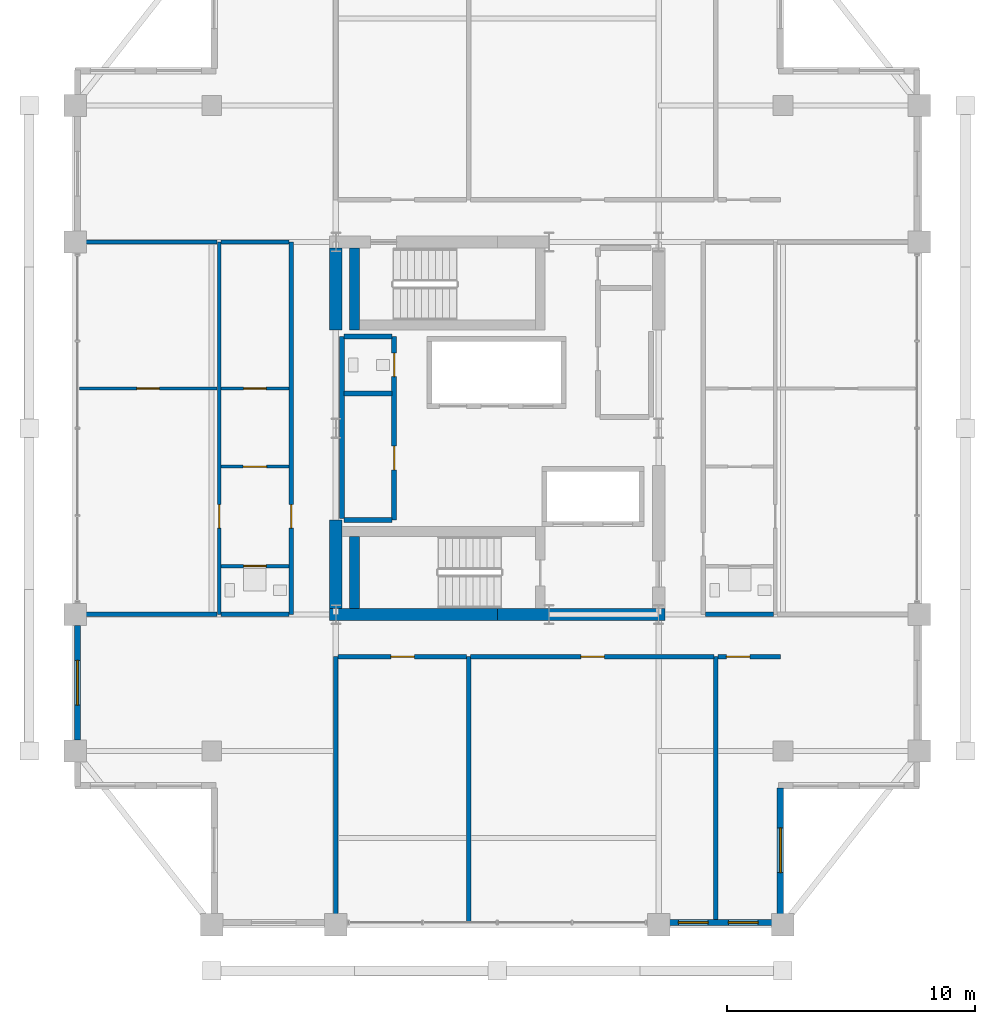
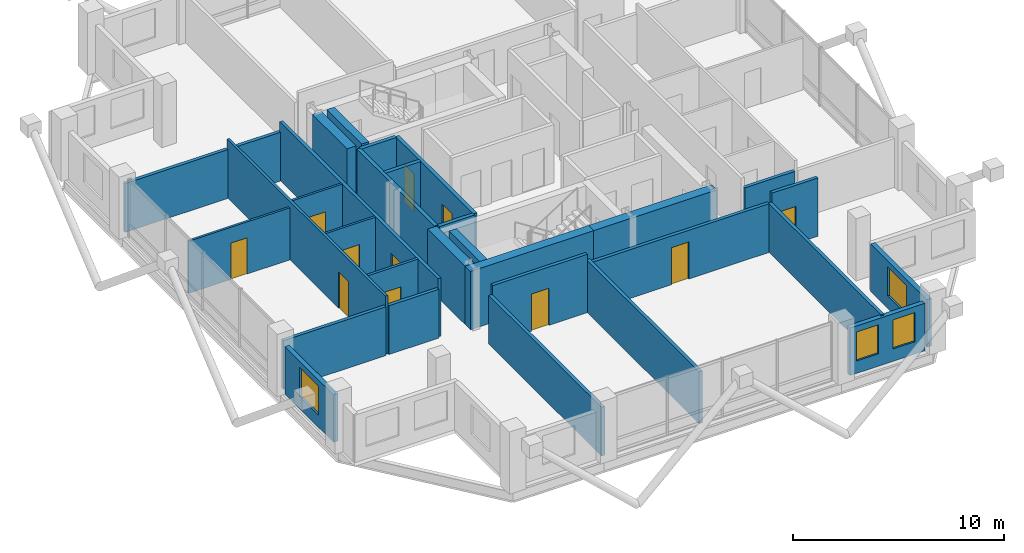
# One storey, part 18 of 23: 31 walls, 11 doors, 4 windows, 15 openings.
"""IFC4 building model written with IfcOpenShell, lengths in metres."""

from ifc_helpers import new_model, si_unit, direction, frame, frame_2d, origin, place, context, subcontext, project, spatial, rectangle, extrude, material, layer, layer_set, type_object, element, fill, save


model = new_model("IFC4")

# Units and contexts
model_context = context("Model", 3, precision=1e-05, world=origin(), true_north=direction((0.0, 1.0)))
body_context = subcontext(model_context, "Body", "Model", "MODEL_VIEW")
ifc_project = project(units=[si_unit("LENGTHUNIT", "METRE"), si_unit("AREAUNIT", "SQUARE_METRE"), si_unit("VOLUMEUNIT", "CUBIC_METRE"), si_unit("PLANEANGLEUNIT", "RADIAN"), si_unit("MASSUNIT", "GRAM", prefix="KILO")], contexts=[model_context])

# Site, building, storey
site_placement = place(None, origin())
site = spatial("IfcSite", under=ifc_project, at=site_placement, CompositionType="ELEMENT")
building_placement = place(site_placement, origin())
building = spatial("IfcBuilding", under=site, at=building_placement, Name="Barlavira Tower and Art Museum", CompositionType="ELEMENT")
storey_placement = place(building_placement, frame((0.0, 0.0, 290.699951171875)))
storey = spatial("IfcBuildingStorey", under=building, at=storey_placement, Name="L76", CompositionType="ELEMENT", Elevation=290.699951171875)

# Wall, opening, door
ifc_material_1 = material(Name="Gypsum acoustic stud partition", Category="gypsum")
ifc_layer_1 = layer(ifc_material_1, 0.1201171875, Name="Gypsum acoustic stud partition")
ifc_layer_set_1 = layer_set([ifc_layer_1], Name="Gypsum acoustic stud partition")
wall_type_1 = type_object("IfcWallType", Name="Apartment Internal Acoustic Partition 120", PredefinedType="PARTITIONING", material=ifc_layer_set_1)
wall_1_placement = place(storey_placement, frame((-11.1201171875, -1.550048828125, 0.0), z_axis=(0.0, 0.0, 1.0), x_axis=(1.0, 0.0, 0.0)))
wall_1 = element("IfcWall", 1, at=wall_1_placement, inside=storey, type_object=wall_type_1, Name="L76 Partition Wall 25", PredefinedType="PARTITIONING", context=body_context, shape_type="SweptSolid", body=[
    extrude(rectangle(XDim=2.740234375, YDim=0.1201171875, at=frame_2d((1.3701171875, 0.0))), origin(), (0.0, 0.0, 1.0), 3.380126953125),
])
opening_1_placement = place(wall_1_placement, frame((0.885009765625, 0.0, 0.0)))
opening_1 = element("IfcOpeningElement", 2, at=opening_1_placement, cuts=wall_1, Name="Opening D-02", PredefinedType="OPENING", context=body_context, shape_type="SweptSolid", body=[
    extrude(rectangle(XDim=0.949951171875, YDim=2.10009765625, at=frame_2d((0.47509765625, 1.050048828125))), frame((0.0, 0.070068359375, 0.0), z_axis=(0.0, -1.0, 0.0), x_axis=(1.0, 0.0, 0.0)), (0.0, 0.0, 1.0), 0.14013671875),
])
ifc_material_2 = material(Name="Engineered coastal hardwood", Category="wood")
door_type_1 = type_object("IfcDoorType", Name="Living and Salon Glazed-Leaf Door 950x2100", OperationType="NOTDEFINED", PredefinedType="DOOR", material=ifc_material_2)
door_1_placement = place(opening_1_placement, origin())
door_1 = element("IfcDoor", 3, at=door_1_placement, inside=storey, type_object=door_type_1, Name="Apartment W1 Kitchen Door", OperationType="SINGLE_SWING_RIGHT", OverallHeight=2.10009765625, OverallWidth=0.949951171875, PredefinedType="DOOR", context=body_context, shape_type="SweptSolid", body=[
    extrude(rectangle(XDim=0.949951171875, YDim=2.10009765625, at=frame_2d((0.47509765625, 1.050048828125))), frame((0.0, 0.02490234375, 0.0), z_axis=(0.0, -1.0, 0.0), x_axis=(1.0, 0.0, 0.0)), (0.0, 0.0, 1.0), 0.050048828125),
])
fill(opening_1, door_1)

wall_2_placement = place(storey_placement, frame((-16.820068359375, 1.60009765625, 0.0), z_axis=(0.0, 0.0, 1.0), x_axis=(1.0, 0.0, 0.0)))
wall_2 = element("IfcWall", 4, at=wall_2_placement, inside=storey, type_object=wall_type_1, Name="L76 Partition Wall 29", PredefinedType="PARTITIONING", context=body_context, shape_type="SweptSolid", body=[
    extrude(rectangle(XDim=5.5400390625, YDim=0.1201171875, at=frame_2d((2.77001953125, 0.0))), origin(), (0.0, 0.0, 1.0), 3.01806640625),
])
opening_2_placement = place(wall_2_placement, frame((2.31005859375, 0.0, 0.0)))
opening_2 = element("IfcOpeningElement", 5, at=opening_2_placement, cuts=wall_2, Name="Opening D-01", PredefinedType="OPENING", context=body_context, shape_type="SweptSolid", body=[
    extrude(rectangle(XDim=0.89990234375, YDim=2.10009765625, at=frame_2d((0.449951171875, 1.050048828125))), frame((0.0, 0.070068359375, 0.0), z_axis=(0.0, -1.0, 0.0), x_axis=(1.0, 0.0, 0.0)), (0.0, 0.0, 1.0), 0.14013671875),
])
door_type_2 = type_object("IfcDoorType", Name="Internal Bedroom Timber Flush Door 900x2100", OperationType="NOTDEFINED", PredefinedType="DOOR", material=ifc_material_2)
door_2_placement = place(opening_2_placement, origin())
door_2 = element("IfcDoor", 6, at=door_2_placement, inside=storey, type_object=door_type_2, Name="Apartment W1 Bedroom 1 Door", OperationType="SINGLE_SWING_LEFT", OverallHeight=2.10009765625, OverallWidth=0.89990234375, PredefinedType="DOOR", context=body_context, shape_type="SweptSolid", body=[
    extrude(rectangle(XDim=0.89990234375, YDim=2.10009765625, at=frame_2d((0.449951171875, 1.050048828125))), frame((0.0, 0.02490234375, 0.0), z_axis=(0.0, -1.0, 0.0), x_axis=(1.0, 0.0, 0.0)), (0.0, 0.0, 1.0), 0.050048828125),
])
fill(opening_2, door_2)

wall_3_placement = place(storey_placement, frame((-11.1201171875, 1.60009765625, 0.0), z_axis=(0.0, 0.0, 1.0), x_axis=(1.0, 0.0, 0.0)))
wall_3 = element("IfcWall", 7, at=wall_3_placement, inside=storey, type_object=wall_type_1, Name="L76 Partition Wall 30", PredefinedType="PARTITIONING", context=body_context, shape_type="SweptSolid", body=[
    extrude(rectangle(XDim=2.740234375, YDim=0.1201171875, at=frame_2d((1.3701171875, 0.0))), origin(), (0.0, 0.0, 1.0), 3.380126953125),
])
opening_3_placement = place(wall_3_placement, frame((0.909912109375, 0.0, 0.0)))
opening_3 = element("IfcOpeningElement", 8, at=opening_3_placement, cuts=wall_3, Name="Opening D-01", PredefinedType="OPENING", context=body_context, shape_type="SweptSolid", body=[
    extrude(rectangle(XDim=0.89990234375, YDim=2.10009765625, at=frame_2d((0.449951171875, 1.050048828125))), frame((0.0, 0.070068359375, 0.0), z_axis=(0.0, -1.0, 0.0), x_axis=(1.0, 0.0, 0.0)), (0.0, 0.0, 1.0), 0.14013671875),
])
door_3_placement = place(opening_3_placement, origin())
door_3 = element("IfcDoor", 9, at=door_3_placement, inside=storey, type_object=door_type_2, Name="Apartment W1 Walk-In Dressing Room Door", OperationType="SINGLE_SWING_LEFT", OverallHeight=2.10009765625, OverallWidth=0.89990234375, PredefinedType="DOOR", context=body_context, shape_type="SweptSolid", body=[
    extrude(rectangle(XDim=0.89990234375, YDim=2.10009765625, at=frame_2d((0.449951171875, 1.050048828125))), frame((0.0, 0.02490234375, 0.0), z_axis=(0.0, -1.0, 0.0), x_axis=(1.0, 0.0, 0.0)), (0.0, 0.0, 1.0), 0.050048828125),
])
fill(opening_3, door_3)

# Walls
ifc_material_3 = material(Name="Concrete C60", Category="concrete")
ifc_layer_2 = layer(ifc_material_3, 0.5, Name="Concrete C60")
ifc_layer_set_2 = layer_set([ifc_layer_2], Name="Concrete C60")
wall_type_2 = type_object("IfcWallType", Name="Core Structural Shear Wall 500 Concrete C60", PredefinedType="SHEAR", material=ifc_layer_set_2)
for number, where, z_axis, x_axis, name in (
    (10, (-6.75, -7.5, 0.0), (0.0, 0.0, 1.0), (1.0, 0.0, 0.0), "L76 Core Shear Wall CS-SW"),
    (11, (0.0, -7.5, 0.0), (0.0, 0.0, 1.0), (1.0, 0.0, 0.0), "L76 Core Shear Wall CS-SE"),
):
    element("IfcWall", number, at=place(storey_placement, frame(where, z_axis=z_axis, x_axis=x_axis)), inside=storey, type_object=wall_type_2, Name=name, PredefinedType="SHEAR", context=body_context, shape_type="SweptSolid", body=[
        extrude(rectangle(XDim=6.75, YDim=0.5, at=frame_2d((3.375, 0.0))), origin(), (0.0, 0.0, 1.0), 3.380126953125),
    ])
wall_4_placement = place(storey_placement, frame((-6.5, -7.25, 0.0), z_axis=(0.0, 0.0, 1.0), x_axis=(0.0, 1.0, 0.0)))
element("IfcWall", 12, at=wall_4_placement, inside=storey, type_object=wall_type_2, Name="L76 Core Shear Wall CS-W1", PredefinedType="SHEAR", context=body_context, shape_type="SweptSolid", body=[
    extrude(rectangle(XDim=3.550048828125, YDim=0.5, at=frame_2d((1.77490234375, 0.0))), origin(), (0.0, 0.0, 1.0), 3.380126953125),
])
wall_5_placement = place(storey_placement, frame((-6.5, 3.949951171875, 0.0), z_axis=(0.0, 0.0, 1.0), x_axis=(0.0, 1.0, 0.0)))
element("IfcWall", 13, at=wall_5_placement, inside=storey, type_object=wall_type_2, Name="L76 Core Shear Wall CS-W2", PredefinedType="SHEAR", context=body_context, shape_type="SweptSolid", body=[
    extrude(rectangle(XDim=3.300048828125, YDim=0.5, at=frame_2d((1.64990234375, 0.0))), origin(), (0.0, 0.0, 1.0), 3.380126953125),
])
ifc_material_4 = material(Name="Autoclaved aerated concrete masonry", Category="masonry")
ifc_layer_3 = layer(ifc_material_4, 0.199951171875, Name="Autoclaved aerated concrete masonry")
ifc_layer_set_3 = layer_set([ifc_layer_3], Name="Autoclaved aerated concrete masonry")
wall_type_3 = type_object("IfcWallType", Name="Fire Compartment and Shaft Wall 200", PredefinedType="SOLIDWALL", material=ifc_layer_set_3)
wall_6_placement = place(storey_placement, frame((-6.25, -3.639892578125, 0.0), z_axis=(0.0, 0.0, 1.0), x_axis=(0.0, 1.0, 0.0)))
element("IfcWall", 14, at=wall_6_placement, inside=storey, type_object=wall_type_3, Name="L76 Partition Wall 5", PredefinedType="SOLIDWALL", context=body_context, shape_type="SweptSolid", body=[
    extrude(rectangle(XDim=7.33984375, YDim=0.199951171875, at=frame_2d((3.669921875, 0.0))), origin(), (0.0, 0.0, 1.0), 3.380126953125),
])

# Wall, openings, doors
wall_7_placement = place(storey_placement, frame((-4.14990234375, -3.699951171875, 0.0), z_axis=(0.0, 0.0, 1.0), x_axis=(0.0, 1.0, 0.0)))
wall_7 = element("IfcWall", 15, at=wall_7_placement, inside=storey, type_object=wall_type_3, Name="L76 Partition Wall 6", PredefinedType="SOLIDWALL", context=body_context, shape_type="SweptSolid", body=[
    extrude(rectangle(XDim=7.39990234375, YDim=0.199951171875, at=frame_2d((3.699951171875, 0.0))), origin(), (0.0, 0.0, 1.0), 3.380126953125),
])
opening_4_placement = place(wall_7_placement, frame((2.02490234375, 0.0, 0.0)))
opening_4 = element("IfcOpeningElement", 16, at=opening_4_placement, cuts=wall_7, Name="Opening FD-60", PredefinedType="OPENING", context=body_context, shape_type="SweptSolid", body=[
    extrude(rectangle(XDim=0.949951171875, YDim=2.14990234375, at=frame_2d((0.47509765625, 1.074951171875))), frame((0.0, 0.10986328125, 0.0), z_axis=(0.0, -1.0, 0.0), x_axis=(1.0, 0.0, 0.0)), (0.0, 0.0, 1.0), 0.219970703125),
])
opening_5_placement = place(wall_7_placement, frame((5.77490234375, 0.0, 0.0)))
opening_5 = element("IfcOpeningElement", 17, at=opening_5_placement, cuts=wall_7, Name="Opening FD-60", PredefinedType="OPENING", context=body_context, shape_type="SweptSolid", body=[
    extrude(rectangle(XDim=0.949951171875, YDim=2.14990234375, at=frame_2d((0.47509765625, 1.074951171875))), frame((0.0, 0.10986328125, 0.0), z_axis=(0.0, -1.0, 0.0), x_axis=(1.0, 0.0, 0.0)), (0.0, 0.0, 1.0), 0.219970703125),
])
ifc_material_5 = material(Name="Brushed stainless steel", Category="steel")
door_type_3 = type_object("IfcDoorType", Name="Apartment Entrance and Riser Fire Door 950x2150 FD60S", OperationType="NOTDEFINED", PredefinedType="DOOR", material=ifc_material_5)
door_4_placement = place(opening_4_placement, origin())
door_4 = element("IfcDoor", 18, at=door_4_placement, inside=storey, type_object=door_type_3, Name="Reclaimed Core Resident Parcel Room Door", OperationType="SINGLE_SWING_RIGHT", OverallHeight=2.14990234375, OverallWidth=0.949951171875, PredefinedType="DOOR", context=body_context, shape_type="SweptSolid", body=[
    extrude(rectangle(XDim=0.949951171875, YDim=2.14990234375, at=frame_2d((0.47509765625, 1.074951171875))), frame((0.0, 0.02490234375, 0.0), z_axis=(0.0, -1.0, 0.0), x_axis=(1.0, 0.0, 0.0)), (0.0, 0.0, 1.0), 0.050048828125),
])
fill(opening_4, door_4)
door_5_placement = place(opening_5_placement, origin())
door_5 = element("IfcDoor", 19, at=door_5_placement, inside=storey, type_object=door_type_3, Name="Reclaimed Core Accessible WC Door", OperationType="SINGLE_SWING_LEFT", OverallHeight=2.14990234375, OverallWidth=0.949951171875, PredefinedType="DOOR", context=body_context, shape_type="SweptSolid", body=[
    extrude(rectangle(XDim=0.949951171875, YDim=2.14990234375, at=frame_2d((0.47509765625, 1.074951171875))), frame((0.0, 0.02490234375, 0.0), z_axis=(0.0, -1.0, 0.0), x_axis=(1.0, 0.0, 0.0)), (0.0, 0.0, 1.0), 0.050048828125),
])
fill(opening_5, door_5)

# Walls
for number, where, z_axis, x_axis, name in (
    (20, (-6.169921875, -3.699951171875, 0.0), (0.0, 0.0, 1.0), (1.0, 0.0, 0.0), "L76 Partition Wall 24"),
    (21, (-6.169921875, 1.39990234375, 0.0), (0.0, 0.0, 1.0), (1.0, 0.0, 0.0), "L76 Partition Wall 28"),
    (22, (-6.169921875, 3.699951171875, 0.0), (0.0, 0.0, 1.0), (1.0, 0.0, 0.0), "L76 Partition Wall 33"),
):
    element("IfcWall", number, at=place(storey_placement, frame(where, z_axis=z_axis, x_axis=x_axis)), inside=storey, type_object=wall_type_3, Name=name, PredefinedType="SOLIDWALL", context=body_context, shape_type="SweptSolid", body=[
        extrude(rectangle(XDim=1.93994140625, YDim=0.199951171875, at=frame_2d((0.969970703125, 0.0))), origin(), (0.0, 0.0, 1.0), 3.380126953125),
    ])

# Wall, opening, door
ifc_layer_4 = layer(ifc_material_1, 0.179931640625, Name="Gypsum acoustic stud partition")
ifc_layer_set_4 = layer_set([ifc_layer_4], Name="Gypsum acoustic stud partition")
wall_type_4 = type_object("IfcWallType", Name="Inter-Tenancy Party Partition Wall 180", PredefinedType="PARTITIONING", material=ifc_layer_set_4)
wall_8_placement = place(storey_placement, frame((-8.300048828125, -7.5, 0.0), z_axis=(0.0, 0.0, 1.0), x_axis=(0.0, 1.0, 0.0)))
wall_8 = element("IfcWall", 23, at=wall_8_placement, inside=storey, type_object=wall_type_4, Name="L76 Partition Wall 2", PredefinedType="PARTITIONING", context=body_context, shape_type="SweptSolid", body=[
    extrude(rectangle(XDim=15.0, YDim=0.179931640625, at=frame_2d((7.5, 0.0))), origin(), (0.0, 0.0, 1.0), 3.380126953125),
])
opening_6_placement = place(wall_8_placement, frame((3.47509765625, 0.0, 0.0)))
opening_6 = element("IfcOpeningElement", 24, at=opening_6_placement, cuts=wall_8, Name="Opening FD-60", PredefinedType="OPENING", context=body_context, shape_type="SweptSolid", body=[
    extrude(rectangle(XDim=0.949951171875, YDim=2.14990234375, at=frame_2d((0.47509765625, 1.074951171875))), frame((0.0, 0.10009765625, 0.0), z_axis=(0.0, -1.0, 0.0), x_axis=(1.0, 0.0, 0.0)), (0.0, 0.0, 1.0), 0.199951171875),
])
door_6_placement = place(opening_6_placement, origin())
door_6 = element("IfcDoor", 25, at=door_6_placement, inside=storey, type_object=door_type_3, Name="Apartment Entrance Hall W1 Door", OperationType="SINGLE_SWING_LEFT", OverallHeight=2.14990234375, OverallWidth=0.949951171875, PredefinedType="DOOR", context=body_context, shape_type="SweptSolid", body=[
    extrude(rectangle(XDim=0.949951171875, YDim=2.14990234375, at=frame_2d((0.47509765625, 1.074951171875))), frame((0.0, 0.02490234375, 0.0), z_axis=(0.0, -1.0, 0.0), x_axis=(1.0, 0.0, 0.0)), (0.0, 0.0, 1.0), 0.050048828125),
])
fill(opening_6, door_6)

# Walls
wall_9_placement = place(storey_placement, frame((-6.5, -19.89990234375, 0.0), z_axis=(0.0, 0.0, 1.0), x_axis=(0.0, 1.0, 0.0)))
element("IfcWall", 26, at=wall_9_placement, inside=storey, type_object=wall_type_4, Name="L76 Partition Wall 3", PredefinedType="PARTITIONING", context=body_context, shape_type="SweptSolid", body=[
    extrude(rectangle(XDim=10.699951171875, YDim=0.179931640625, at=frame_2d((5.35009765625, 0.0))), origin(), (0.0, 0.0, 1.0), 2.825927734375),
])
wall_10_placement = place(storey_placement, frame((-1.14990234375, -19.89990234375, 0.0), z_axis=(0.0, 0.0, 1.0), x_axis=(0.0, 1.0, 0.0)))
element("IfcWall", 27, at=wall_10_placement, inside=storey, type_object=wall_type_4, Name="L76 Partition Wall 7", PredefinedType="PARTITIONING", context=body_context, shape_type="SweptSolid", body=[
    extrude(rectangle(XDim=10.699951171875, YDim=0.179931640625, at=frame_2d((5.35009765625, 0.0))), origin(), (0.0, 0.0, 1.0), 3.01806640625),
])
wall_11_placement = place(storey_placement, frame((8.800048828125, -19.89990234375, 0.0), z_axis=(0.0, 0.0, 1.0), x_axis=(0.0, 1.0, 0.0)))
element("IfcWall", 28, at=wall_11_placement, inside=storey, type_object=wall_type_4, Name="L76 Partition Wall 12", PredefinedType="PARTITIONING", context=body_context, shape_type="SweptSolid", body=[
    extrude(rectangle(XDim=10.699951171875, YDim=0.179931640625, at=frame_2d((5.35009765625, 0.0))), origin(), (0.0, 0.0, 1.0), 2.825927734375),
])

# Wall, opening, door
wall_12_placement = place(storey_placement, frame((-6.419921875, -9.199951171875, 0.0), z_axis=(0.0, 0.0, 1.0), x_axis=(1.0, 0.0, 0.0)))
wall_12 = element("IfcWall", 29, at=wall_12_placement, inside=storey, type_object=wall_type_4, Name="L76 Partition Wall 15", PredefinedType="PARTITIONING", context=body_context, shape_type="SweptSolid", body=[
    extrude(rectangle(XDim=5.18994140625, YDim=0.179931640625, at=frame_2d((2.594970703125, 0.0))), origin(), (0.0, 0.0, 1.0), 3.380126953125),
])
opening_7_placement = place(wall_12_placement, frame((2.135009765625, 0.0, 0.0)))
opening_7 = element("IfcOpeningElement", 30, at=opening_7_placement, cuts=wall_12, Name="Opening FD-60", PredefinedType="OPENING", context=body_context, shape_type="SweptSolid", body=[
    extrude(rectangle(XDim=0.949951171875, YDim=2.14990234375, at=frame_2d((0.47509765625, 1.074951171875))), frame((0.0, 0.10009765625, 0.0), z_axis=(0.0, -1.0, 0.0), x_axis=(1.0, 0.0, 0.0)), (0.0, 0.0, 1.0), 0.199951171875),
])
door_7_placement = place(opening_7_placement, origin())
door_7 = element("IfcDoor", 31, at=door_7_placement, inside=storey, type_object=door_type_3, Name="Resident Art Collectors Salon Door", OperationType="SINGLE_SWING_RIGHT", OverallHeight=2.14990234375, OverallWidth=0.949951171875, PredefinedType="DOOR", context=body_context, shape_type="SweptSolid", body=[
    extrude(rectangle(XDim=0.949951171875, YDim=2.14990234375, at=frame_2d((0.47509765625, 1.074951171875))), frame((0.0, 0.02490234375, 0.0), z_axis=(0.0, -1.0, 0.0), x_axis=(1.0, 0.0, 0.0)), (0.0, 0.0, 1.0), 0.050048828125),
])
fill(opening_7, door_7)

wall_13_placement = place(storey_placement, frame((-1.070068359375, -9.199951171875, 0.0), z_axis=(0.0, 0.0, 1.0), x_axis=(1.0, 0.0, 0.0)))
wall_13 = element("IfcWall", 32, at=wall_13_placement, inside=storey, type_object=wall_type_4, Name="L76 Partition Wall 16", PredefinedType="PARTITIONING", context=body_context, shape_type="SweptSolid", body=[
    extrude(rectangle(XDim=9.7900390625, YDim=0.179931640625, at=frame_2d((4.89501953125, 0.0))), origin(), (0.0, 0.0, 1.0), 2.825927734375),
])
opening_8_placement = place(wall_13_placement, frame((4.43505859375, 0.0, 0.0)))
opening_8 = element("IfcOpeningElement", 33, at=opening_8_placement, cuts=wall_13, Name="Opening FD-60", PredefinedType="OPENING", context=body_context, shape_type="SweptSolid", body=[
    extrude(rectangle(XDim=0.949951171875, YDim=2.14990234375, at=frame_2d((0.47509765625, 1.074951171875))), frame((0.0, 0.10009765625, 0.0), z_axis=(0.0, -1.0, 0.0), x_axis=(1.0, 0.0, 0.0)), (0.0, 0.0, 1.0), 0.199951171875),
])
door_8_placement = place(opening_8_placement, origin())
door_8 = element("IfcDoor", 34, at=door_8_placement, inside=storey, type_object=door_type_3, Name="Sculpture and Painting Workshop Door", OperationType="SINGLE_SWING_LEFT", OverallHeight=2.14990234375, OverallWidth=0.949951171875, PredefinedType="DOOR", context=body_context, shape_type="SweptSolid", body=[
    extrude(rectangle(XDim=0.949951171875, YDim=2.14990234375, at=frame_2d((0.47509765625, 1.074951171875))), frame((0.0, 0.02490234375, 0.0), z_axis=(0.0, -1.0, 0.0), x_axis=(1.0, 0.0, 0.0)), (0.0, 0.0, 1.0), 0.050048828125),
])
fill(opening_8, door_8)

wall_14_placement = place(storey_placement, frame((8.8798828125, -9.199951171875, 0.0), z_axis=(0.0, 0.0, 1.0), x_axis=(1.0, 0.0, 0.0)))
wall_14 = element("IfcWall", 35, at=wall_14_placement, inside=storey, type_object=wall_type_4, Name="L76 Partition Wall 17", PredefinedType="PARTITIONING", context=body_context, shape_type="SweptSolid", body=[
    extrude(rectangle(XDim=2.52001953125, YDim=0.179931640625, at=frame_2d((1.260009765625, 0.0))), origin(), (0.0, 0.0, 1.0), 3.380126953125),
])
opening_9_placement = place(wall_14_placement, frame((0.344970703125, 0.0, 0.0)))
opening_9 = element("IfcOpeningElement", 36, at=opening_9_placement, cuts=wall_14, Name="Opening FD-60", PredefinedType="OPENING", context=body_context, shape_type="SweptSolid", body=[
    extrude(rectangle(XDim=0.949951171875, YDim=2.14990234375, at=frame_2d((0.47509765625, 1.074951171875))), frame((0.0, 0.10009765625, 0.0), z_axis=(0.0, -1.0, 0.0), x_axis=(1.0, 0.0, 0.0)), (0.0, 0.0, 1.0), 0.199951171875),
])
door_9_placement = place(opening_9_placement, origin())
door_9 = element("IfcDoor", 37, at=door_9_placement, inside=storey, type_object=door_type_3, Name="Climate-Controlled Wine Tasting Room Door", OperationType="SINGLE_SWING_RIGHT", OverallHeight=2.14990234375, OverallWidth=0.949951171875, PredefinedType="DOOR", context=body_context, shape_type="SweptSolid", body=[
    extrude(rectangle(XDim=0.949951171875, YDim=2.14990234375, at=frame_2d((0.47509765625, 1.074951171875))), frame((0.0, 0.02490234375, 0.0), z_axis=(0.0, -1.0, 0.0), x_axis=(1.0, 0.0, 0.0)), (0.0, 0.0, 1.0), 0.050048828125),
])
fill(opening_9, door_9)

# Walls
wall_15_placement = place(storey_placement, frame((-16.89990234375, -7.5, 0.0), z_axis=(0.0, 0.0, 1.0), x_axis=(1.0, 0.0, 0.0)))
element("IfcWall", 38, at=wall_15_placement, inside=storey, type_object=wall_type_4, Name="L76 Partition Wall 18", PredefinedType="PARTITIONING", context=body_context, shape_type="SweptSolid", body=[
    extrude(rectangle(XDim=5.619873046875, YDim=0.179931640625, at=frame_2d((2.81005859375, 0.0))), origin(), (0.0, 0.0, 1.0), 2.825927734375),
])
for number, where, z_axis, x_axis, name in (
    (39, (-11.1201171875, -7.5, 0.0), (0.0, 0.0, 1.0), (1.0, 0.0, 0.0), "L76 Partition Wall 19"),
    (40, (8.3798828125, -7.5, 0.0), (0.0, 0.0, 1.0), (1.0, 0.0, 0.0), "L76 Partition Wall 20"),
):
    element("IfcWall", number, at=place(storey_placement, frame(where, z_axis=z_axis, x_axis=x_axis)), inside=storey, type_object=wall_type_4, Name=name, PredefinedType="PARTITIONING", context=body_context, shape_type="SweptSolid", body=[
        extrude(rectangle(XDim=2.740234375, YDim=0.179931640625, at=frame_2d((1.3701171875, 0.0))), origin(), (0.0, 0.0, 1.0), 2.825927734375),
    ])
wall_16_placement = place(storey_placement, frame((-16.89990234375, 7.5, 0.0), z_axis=(0.0, 0.0, 1.0), x_axis=(1.0, 0.0, 0.0)))
element("IfcWall", 41, at=wall_16_placement, inside=storey, type_object=wall_type_4, Name="L76 Partition Wall 36", PredefinedType="PARTITIONING", context=body_context, shape_type="SweptSolid", body=[
    extrude(rectangle(XDim=5.619873046875, YDim=0.179931640625, at=frame_2d((2.81005859375, 0.0))), origin(), (0.0, 0.0, 1.0), 2.825927734375),
])
wall_17_placement = place(storey_placement, frame((-11.1201171875, 7.5, 0.0), z_axis=(0.0, 0.0, 1.0), x_axis=(1.0, 0.0, 0.0)))
element("IfcWall", 42, at=wall_17_placement, inside=storey, type_object=wall_type_4, Name="L76 Partition Wall 37", PredefinedType="PARTITIONING", context=body_context, shape_type="SweptSolid", body=[
    extrude(rectangle(XDim=2.740234375, YDim=0.179931640625, at=frame_2d((1.3701171875, 0.0))), origin(), (0.0, 0.0, 1.0), 2.825927734375),
])

# Wall, opening, door
ifc_layer_5 = layer(ifc_material_1, 0.139892578125, Name="Gypsum acoustic stud partition")
ifc_layer_set_5 = layer_set([ifc_layer_5], Name="Gypsum acoustic stud partition")
wall_type_5 = type_object("IfcWallType", Name="Moisture-Resistant Bathroom Partition 140", PredefinedType="PARTITIONING", material=ifc_layer_set_5)
wall_18_placement = place(storey_placement, frame((-11.199951171875, -7.5, 0.0), z_axis=(0.0, 0.0, 1.0), x_axis=(0.0, 1.0, 0.0)))
wall_18 = element("IfcWall", 43, at=wall_18_placement, inside=storey, type_object=wall_type_5, Name="L76 Partition Wall 1", PredefinedType="PARTITIONING", context=body_context, shape_type="SweptSolid", body=[
    extrude(rectangle(XDim=15.0, YDim=0.139892578125, at=frame_2d((7.5, 0.0))), origin(), (0.0, 0.0, 1.0), 3.380126953125),
])
opening_10_placement = place(wall_18_placement, frame((3.47509765625, 0.0, 0.0)))
opening_10 = element("IfcOpeningElement", 44, at=opening_10_placement, cuts=wall_18, Name="Opening D-02", PredefinedType="OPENING", context=body_context, shape_type="SweptSolid", body=[
    extrude(rectangle(XDim=0.949951171875, YDim=2.10009765625, at=frame_2d((0.47509765625, 1.050048828125))), frame((0.0, 0.080078125, 0.0), z_axis=(0.0, -1.0, 0.0), x_axis=(1.0, 0.0, 0.0)), (0.0, 0.0, 1.0), 0.159912109375),
])
door_10_placement = place(opening_10_placement, origin())
door_10 = element("IfcDoor", 45, at=door_10_placement, inside=storey, type_object=door_type_1, Name="Apartment W1 Living Lounge Door", OperationType="SINGLE_SWING_RIGHT", OverallHeight=2.10009765625, OverallWidth=0.949951171875, PredefinedType="DOOR", context=body_context, shape_type="SweptSolid", body=[
    extrude(rectangle(XDim=0.949951171875, YDim=2.10009765625, at=frame_2d((0.47509765625, 1.050048828125))), frame((0.0, 0.02490234375, 0.0), z_axis=(0.0, -1.0, 0.0), x_axis=(1.0, 0.0, 0.0)), (0.0, 0.0, 1.0), 0.050048828125),
])
fill(opening_10, door_10)

wall_19_placement = place(storey_placement, frame((-11.1201171875, -5.550048828125, 0.0), z_axis=(0.0, 0.0, 1.0), x_axis=(1.0, 0.0, 0.0)))
wall_19 = element("IfcWall", 46, at=wall_19_placement, inside=storey, type_object=wall_type_5, Name="L76 Partition Wall 22", PredefinedType="PARTITIONING", context=body_context, shape_type="SweptSolid", body=[
    extrude(rectangle(XDim=2.740234375, YDim=0.139892578125, at=frame_2d((1.3701171875, 0.0))), origin(), (0.0, 0.0, 1.0), 3.380126953125),
])
opening_11_placement = place(wall_19_placement, frame((0.909912109375, 0.0, 0.0)))
opening_11 = element("IfcOpeningElement", 47, at=opening_11_placement, cuts=wall_19, Name="Opening D-WC", PredefinedType="OPENING", context=body_context, shape_type="SweptSolid", body=[
    extrude(rectangle(XDim=0.89990234375, YDim=2.10009765625, at=frame_2d((0.449951171875, 1.050048828125))), frame((0.0, 0.080078125, 0.0), z_axis=(0.0, -1.0, 0.0), x_axis=(1.0, 0.0, 0.0)), (0.0, 0.0, 1.0), 0.159912109375),
])
door_type_4 = type_object("IfcDoorType", Name="Accessible Bathroom Flush Door 900x2100", OperationType="NOTDEFINED", PredefinedType="DOOR", material=ifc_material_2)
door_11_placement = place(opening_11_placement, origin())
door_11 = element("IfcDoor", 48, at=door_11_placement, inside=storey, type_object=door_type_4, Name="Apartment W1 Hall Bathroom Door", OperationType="SINGLE_SWING_RIGHT", OverallHeight=2.10009765625, OverallWidth=0.89990234375, PredefinedType="DOOR", context=body_context, shape_type="SweptSolid", body=[
    extrude(rectangle(XDim=0.89990234375, YDim=2.10009765625, at=frame_2d((0.449951171875, 1.050048828125))), frame((0.0, 0.02490234375, 0.0), z_axis=(0.0, -1.0, 0.0), x_axis=(1.0, 0.0, 0.0)), (0.0, 0.0, 1.0), 0.050048828125),
])
fill(opening_11, door_11)

# Wall, openings, windows
ifc_material_6 = material(Name="Precast concrete C40", Category="concrete")
ifc_layer_6 = layer(ifc_material_6, 0.25, Name="Precast concrete C40")
ifc_layer_set_6 = layer_set([ifc_layer_6], Name="Precast concrete C40")
wall_type_6 = type_object("IfcWallType", Name="Notched Corner Spandrel Wall 250 Precast Concrete C40", PredefinedType="SOLIDWALL", material=ifc_layer_set_6)
wall_20_placement = place(storey_placement, frame((6.945068359375, -19.89990234375, 0.0), z_axis=(0.0, 0.0, 1.0), x_axis=(1.0, 0.0, 0.0)))
wall_20 = element("IfcWall", 49, at=wall_20_placement, inside=storey, type_object=wall_type_6, Name="L76 Coastal Facade Pier Wall CW4-L76-S-3", PredefinedType="SOLIDWALL", context=body_context, shape_type="SweptSolid", body=[
    extrude(rectangle(XDim=4.10986328125, YDim=0.25, at=frame_2d((2.054931640625, 0.0))), origin(), (0.0, 0.0, 1.0), 2.748046875),
])
opening_12_placement = place(wall_20_placement, frame((0.35009765625, 0.0, 0.719970703125)))
opening_12 = element("IfcOpeningElement", 50, at=opening_12_placement, cuts=wall_20, Name="Opening WN-05", PredefinedType="OPENING", context=body_context, shape_type="SweptSolid", body=[
    extrude(rectangle(XDim=1.199951171875, YDim=1.679931640625, at=frame_2d((0.60009765625, 0.83984375))), frame((0.0, 0.135009765625, 0.0), z_axis=(0.0, -1.0, 0.0), x_axis=(1.0, 0.0, 0.0)), (0.0, 0.0, 1.0), 0.27001953125),
])
opening_13_placement = place(wall_20_placement, frame((2.360107421875, 0.0, 0.719970703125)))
opening_13 = element("IfcOpeningElement", 51, at=opening_13_placement, cuts=wall_20, Name="Opening WN-05", PredefinedType="OPENING", context=body_context, shape_type="SweptSolid", body=[
    extrude(rectangle(XDim=1.199951171875, YDim=1.679931640625, at=frame_2d((0.60009765625, 0.83984375))), frame((0.0, 0.135009765625, 0.0), z_axis=(0.0, -1.0, 0.0), x_axis=(1.0, 0.0, 0.0)), (0.0, 0.0, 1.0), 0.27001953125),
])
ifc_material_7 = material(Name="Low-iron coastal laminated glass", Category="glass")
window_type_1 = type_object("IfcWindowType", Name="Recessed Flank Pier Punch Window 1200x1680", PartitioningType="SINGLE_PANEL", PredefinedType="WINDOW", material=ifc_material_7)
window_1_placement = place(opening_12_placement, origin())
window_1 = element("IfcWindow", 52, at=window_1_placement, inside=storey, type_object=window_type_1, Name="L76 Punched Facade Window EWP-CW4-L76-S-3-1", OverallHeight=1.679931640625, OverallWidth=1.199951171875, PartitioningType="SINGLE_PANEL", PredefinedType="WINDOW", context=body_context, shape_type="SweptSolid", body=[
    extrude(rectangle(XDim=1.199951171875, YDim=1.679931640625, at=frame_2d((0.60009765625, 0.83984375))), frame((0.0, 0.030029296875, 0.0), z_axis=(0.0, -1.0, 0.0), x_axis=(1.0, 0.0, 0.0)), (0.0, 0.0, 1.0), 0.06005859375),
])
fill(opening_12, window_1)
window_2_placement = place(opening_13_placement, origin())
window_2 = element("IfcWindow", 53, at=window_2_placement, inside=storey, type_object=window_type_1, Name="L76 Punched Facade Window EWP-CW4-L76-S-3-2", OverallHeight=1.679931640625, OverallWidth=1.199951171875, PartitioningType="SINGLE_PANEL", PredefinedType="WINDOW", context=body_context, shape_type="SweptSolid", body=[
    extrude(rectangle(XDim=1.199951171875, YDim=1.679931640625, at=frame_2d((0.60009765625, 0.83984375))), frame((0.0, 0.030029296875, 0.0), z_axis=(0.0, -1.0, 0.0), x_axis=(1.0, 0.0, 0.0)), (0.0, 0.0, 1.0), 0.06005859375),
])
fill(opening_13, window_2)

# Wall, opening, window
wall_21_placement = place(storey_placement, frame((-16.89990234375, -7.945068359375, 0.0), z_axis=(0.0, 0.0, 1.0), x_axis=(0.0, -1.0, 0.0)))
wall_21 = element("IfcWall", 54, at=wall_21_placement, inside=storey, type_object=wall_type_6, Name="L76 Coastal Facade Pier Wall CW4-L76-W-4", PredefinedType="SOLIDWALL", context=body_context, shape_type="SweptSolid", body=[
    extrude(rectangle(XDim=4.60986328125, YDim=0.25, at=frame_2d((2.304931640625, 0.0))), origin(), (0.0, 0.0, 1.0), 2.748046875),
])
opening_14_placement = place(wall_21_placement, frame((1.405029296875, 0.0, 0.719970703125)))
opening_14 = element("IfcOpeningElement", 55, at=opening_14_placement, cuts=wall_21, Name="Opening WN-01", PredefinedType="OPENING", context=body_context, shape_type="SweptSolid", body=[
    extrude(rectangle(XDim=1.800048828125, YDim=1.679931640625, at=frame_2d((0.89990234375, 0.83984375))), frame((0.0, 0.135009765625, 0.0), z_axis=(0.0, -1.0, 0.0), x_axis=(1.0, 0.0, 0.0)), (0.0, 0.0, 1.0), 0.27001953125),
])
window_type_2 = type_object("IfcWindowType", Name="Recessed Notch Corner Punch Window 1800x1680", PartitioningType="SINGLE_PANEL", PredefinedType="WINDOW", material=ifc_material_7)
window_3_placement = place(opening_14_placement, origin())
window_3 = element("IfcWindow", 56, at=window_3_placement, inside=storey, type_object=window_type_2, Name="L76 Punched Facade Window EWP-CW4-L76-W-4-1", OverallHeight=1.679931640625, OverallWidth=1.800048828125, PartitioningType="SINGLE_PANEL", PredefinedType="WINDOW", context=body_context, shape_type="SweptSolid", body=[
    extrude(rectangle(XDim=1.800048828125, YDim=1.679931640625, at=frame_2d((0.89990234375, 0.83984375))), frame((0.0, 0.030029296875, 0.0), z_axis=(0.0, -1.0, 0.0), x_axis=(1.0, 0.0, 0.0)), (0.0, 0.0, 1.0), 0.06005859375),
])
fill(opening_14, window_3)

wall_22_placement = place(storey_placement, frame((11.39990234375, -19.820068359375, 0.0), z_axis=(0.0, 0.0, 1.0), x_axis=(0.0, 1.0, 0.0)))
wall_22 = element("IfcWall", 57, at=wall_22_placement, inside=storey, type_object=wall_type_6, Name="L76 Notch Corner Wall SE1", PredefinedType="SOLIDWALL", context=body_context, shape_type="SweptSolid", body=[
    extrude(rectangle(XDim=5.340087890625, YDim=0.25, at=frame_2d((2.669921875, 0.0))), origin(), (0.0, 0.0, 1.0), 2.748046875),
])
opening_15_placement = place(wall_22_placement, frame((1.925048828125, 0.0, 0.719970703125)))
opening_15 = element("IfcOpeningElement", 58, at=opening_15_placement, cuts=wall_22, Name="Opening WN-01", PredefinedType="OPENING", context=body_context, shape_type="SweptSolid", body=[
    extrude(rectangle(XDim=1.800048828125, YDim=1.679931640625, at=frame_2d((0.89990234375, 0.83984375))), frame((0.0, 0.135009765625, 0.0), z_axis=(0.0, -1.0, 0.0), x_axis=(1.0, 0.0, 0.0)), (0.0, 0.0, 1.0), 0.27001953125),
])
window_4_placement = place(opening_15_placement, origin())
window_4 = element("IfcWindow", 59, at=window_4_placement, inside=storey, type_object=window_type_2, Name="L76 Punched Facade Window EW-NTC-L76-SE1-1", OverallHeight=1.679931640625, OverallWidth=1.800048828125, PartitioningType="SINGLE_PANEL", PredefinedType="WINDOW", context=body_context, shape_type="SweptSolid", body=[
    extrude(rectangle(XDim=1.800048828125, YDim=1.679931640625, at=frame_2d((0.89990234375, 0.83984375))), frame((0.0, 0.030029296875, 0.0), z_axis=(0.0, -1.0, 0.0), x_axis=(1.0, 0.0, 0.0)), (0.0, 0.0, 1.0), 0.06005859375),
])
fill(opening_15, window_4)

# Walls
ifc_material_8 = material(Name="Concrete C55", Category="concrete")
ifc_layer_7 = layer(ifc_material_8, 0.39990234375, Name="Concrete C55")
ifc_layer_set_7 = layer_set([ifc_layer_7], Name="Concrete C55")
wall_type_7 = type_object("IfcWallType", Name="Upper Core Shear Wall 400 Concrete C55", PredefinedType="SHEAR", material=ifc_layer_set_7)
wall_23_placement = place(storey_placement, frame((-5.75, -7.25, 0.0), z_axis=(0.0, 0.0, 1.0), x_axis=(0.0, 1.0, 0.0)))
element("IfcWall", 60, at=wall_23_placement, inside=storey, type_object=wall_type_7, Name="L76 ST-T1 West Half-Landing Wall", PredefinedType="SHEAR", context=body_context, shape_type="SweptSolid", body=[
    extrude(rectangle(XDim=2.89990234375, YDim=0.39990234375, at=frame_2d((1.449951171875, 0.0))), origin(), (0.0, 0.0, 1.0), 3.380126953125),
])
wall_24_placement = place(storey_placement, frame((-5.75, 3.949951171875, 0.0), z_axis=(0.0, 0.0, 1.0), x_axis=(0.0, 1.0, 0.0)))
element("IfcWall", 61, at=wall_24_placement, inside=storey, type_object=wall_type_7, Name="L76 ST-T2 West Shaft Wall", PredefinedType="SHEAR", context=body_context, shape_type="SweptSolid", body=[
    extrude(rectangle(XDim=3.300048828125, YDim=0.39990234375, at=frame_2d((1.64990234375, 0.0))), origin(), (0.0, 0.0, 1.0), 3.380126953125),
])

save(model, "model.ifc")
